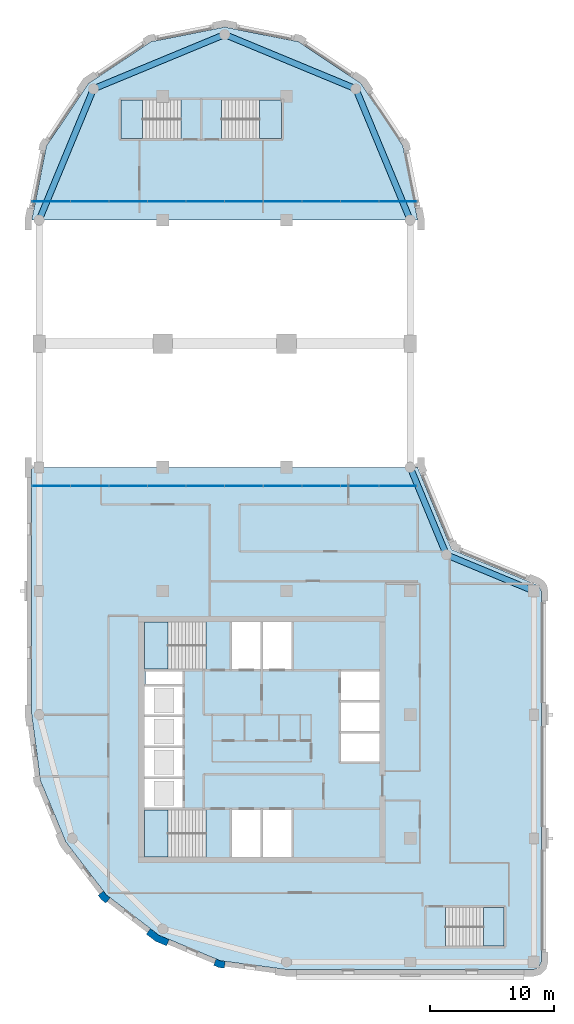
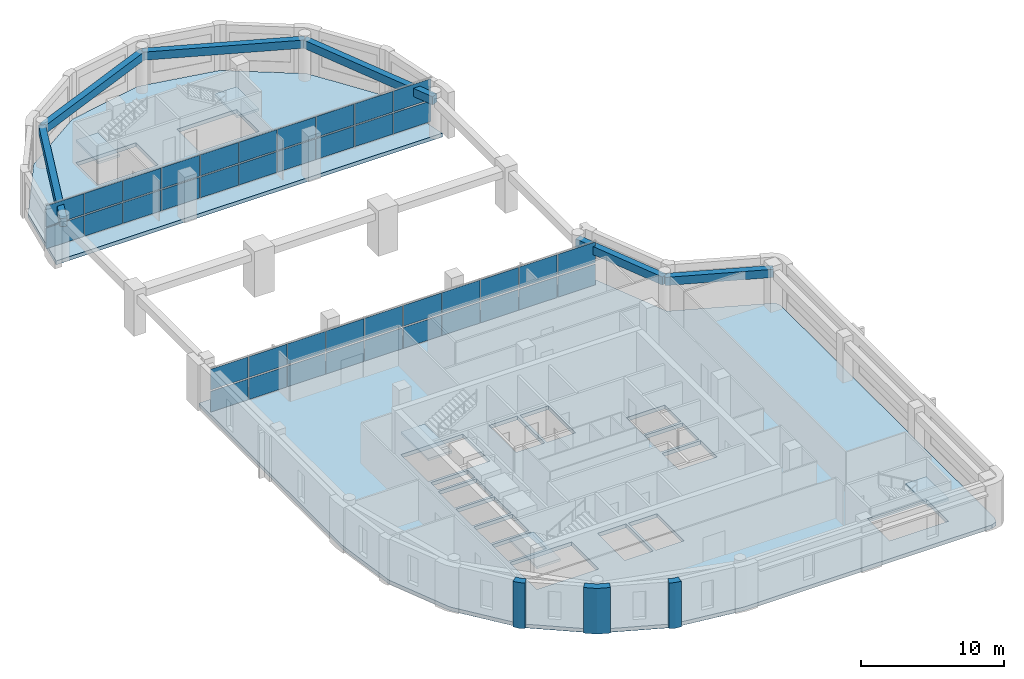
# One storey, part 4 of 11: 40 plates, 7 slabs, 6 beams, 3 walls, 7 elements without a shape of their own.
"""IFC4 building model written with IfcOpenShell, lengths in metres."""

from ifc_helpers import new_model, si_unit, direction, frame, origin, origin_2d, place, context, subcontext, project, spatial, polyline, rectangle, outline, extrude, material, layer, layer_set, material_profile, profile_set, type_object, element, aggregate, save


model = new_model("IFC4")

# Units and contexts
model_context = context("Model", 3, precision=1e-05, world=origin(), true_north=direction((0.0, 1.0)))
body_context = subcontext(model_context, "Body", "Model", "MODEL_VIEW")
ifc_project = project(units=[si_unit("LENGTHUNIT", "METRE"), si_unit("AREAUNIT", "SQUARE_METRE"), si_unit("VOLUMEUNIT", "CUBIC_METRE"), si_unit("PLANEANGLEUNIT", "RADIAN"), si_unit("MASSUNIT", "GRAM", prefix="KILO")], contexts=[model_context])

# Site, building, storey
site_placement = place(None, origin())
site = spatial("IfcSite", under=ifc_project, at=site_placement, CompositionType="ELEMENT")
building_placement = place(site_placement, origin())
building = spatial("IfcBuilding", under=site, at=building_placement, Name="Qaws Garden Tower", CompositionType="ELEMENT")
storey_placement = place(building_placement, frame((0.0, 0.0, 329.39990234375)))
storey = spatial("IfcBuildingStorey", under=building, at=storey_placement, Name="L80", CompositionType="ELEMENT", Elevation=329.39990234375)

# Beams
ifc_material_1 = material(Name="Concrete C45", Category="concrete")
ifc_material_profile = material_profile(ifc_material_1, rectangle(XDim=0.5, YDim=0.699951171875, at=origin_2d()), Name="RC 500x700")
ifc_profile_set = profile_set([ifc_material_profile], Name="Concrete C45")
beam_type = type_object("IfcBeamType", Name="Spandrel beam RC 500x700 C45", PredefinedType="SPANDREL", material=ifc_profile_set)
for number, where, z_axis, x_axis, name in (
    (1, (40.0, 30.0, 3.10009765625), (-0.923878037141, 0.382687042488, 0.0), (-0.382687042488, -0.923878037141, 0.0), "Spandrel beam L80-006"),
    (2, (32.928955078125, 32.928955078125, 3.10009765625), (-0.382687042488, 0.923878037141, 0.0), (-0.923878037141, -0.382687042488, 0.0), "Spandrel beam L80-007"),
):
    element("IfcBeam", number, at=place(storey_placement, frame(where, z_axis=z_axis, x_axis=x_axis)), inside=storey, type_object=beam_type, Name=name, PredefinedType="SPANDREL", context=body_context, shape_type="SweptSolid", body=[
        extrude(rectangle(XDim=0.5, YDim=0.699951171875, at=origin_2d()), origin(), (0.0, 0.0, 1.0), 7.653564453125),
    ])
for number, where, z_axis, x_axis, name in (
    (3, (30.0, 60.0, 3.10009765625), (-0.382674207535, 0.923883353507, 0.0), (-0.923883353507, -0.382674207535, 0.0), "Spandrel beam L80-010"),
    (4, (25.606689453125, 70.606689453125, 3.10009765625), (-0.923883353507, 0.382674207535, 0.0), (-0.382674207535, -0.923883353507, 0.0), "Spandrel beam L80-011"),
    (5, (15.0, 75.0, 3.10009765625), (-0.923883353507, -0.382674207535, 0.0), (0.382674207535, -0.923883353507, 0.0), "Spandrel beam L80-012"),
    (6, (4.393310546875, 70.606689453125, 3.10009765625), (-0.382674207535, -0.923883353507, 0.0), (0.923883353507, -0.382674207535, 0.0), "Spandrel beam L80-013"),
):
    element("IfcBeam", number, at=place(storey_placement, frame(where, z_axis=z_axis, x_axis=x_axis)), inside=storey, type_object=beam_type, Name=name, PredefinedType="SPANDREL", context=body_context, shape_type="SweptSolid", body=[
        extrude(rectangle(XDim=0.5, YDim=0.699951171875, at=origin_2d()), origin(), (0.0, 0.0, 1.0), 11.48046875),
    ])

# Curtain wall, plates
ifc_material_2 = material(Name="Anodised aluminium curtain wall frame", Category="aluminium")
ifc_layer_1 = layer(ifc_material_2, 0.159912109375)
ifc_layer_set_1 = layer_set([ifc_layer_1], Name="Anodised aluminium curtain wall frame")
curtain_wall_type = type_object("IfcCurtainWallType", Name="CW5 portal screen curtain wall", PredefinedType="NOTDEFINED", material=ifc_layer_set_1)
placement_1 = place(storey_placement, origin())
curtain_wall_1 = element("IfcCurtainWall", 7, at=placement_1, inside=storey, type_object=curtain_wall_type, Name="CW5 Portal screen 0", PredefinedType="NOTDEFINED")
ifc_material_3 = material(Name="Clear laminated glass", Category="glass")
ifc_layer_2 = layer(ifc_material_3, 0.031982421875)
ifc_layer_set_2 = layer_set([ifc_layer_2], Name="Clear laminated glass")
plate_type = type_object("IfcPlateType", Name="CW5 glass panel 32", PredefinedType="CURTAIN_PANEL", material=ifc_layer_set_2)
plate_1_placement = place(storey_placement, frame((0.972412109375, 38.5, 0.1201171875), z_axis=(0.0, 0.0, 1.0), x_axis=(1.0, 0.0, 0.0)))
plate_1 = element("IfcPlate", 8, at=plate_1_placement, type_object=plate_type, Name="CW5 panel 1.1", PredefinedType="CURTAIN_PANEL", context=body_context, shape_type="SweptSolid", body=[
    extrude(rectangle(XDim=3.044921875, YDim=0.031982421875, at=origin_2d()), origin(), (0.0, 0.0, 1.0), 1.77001953125),
])
plate_2_placement = place(storey_placement, frame((0.972412109375, 38.5, 2.010009765625), z_axis=(0.0, 0.0, 1.0), x_axis=(1.0, 0.0, 0.0)))
plate_2 = element("IfcPlate", 9, at=plate_2_placement, type_object=plate_type, Name="CW5 panel 1.2", PredefinedType="CURTAIN_PANEL", context=body_context, shape_type="SweptSolid", body=[
    extrude(rectangle(XDim=3.044921875, YDim=0.031982421875, at=origin_2d()), origin(), (0.0, 0.0, 1.0), 1.77001953125),
])
plate_3_placement = place(storey_placement, frame((4.080078125, 38.5, 0.1201171875), z_axis=(0.0, 0.0, 1.0), x_axis=(1.0, 0.0, 0.0)))
plate_3 = element("IfcPlate", 10, at=plate_3_placement, type_object=plate_type, Name="CW5 panel 2.1", PredefinedType="CURTAIN_PANEL", context=body_context, shape_type="SweptSolid", body=[
    extrude(rectangle(XDim=3.070068359375, YDim=0.031982421875, at=origin_2d()), origin(), (0.0, 0.0, 1.0), 1.77001953125),
])
plate_4_placement = place(storey_placement, frame((4.080078125, 38.5, 2.010009765625), z_axis=(0.0, 0.0, 1.0), x_axis=(1.0, 0.0, 0.0)))
plate_4 = element("IfcPlate", 11, at=plate_4_placement, type_object=plate_type, Name="CW5 panel 2.2", PredefinedType="CURTAIN_PANEL", context=body_context, shape_type="SweptSolid", body=[
    extrude(rectangle(XDim=3.070068359375, YDim=0.031982421875, at=origin_2d()), origin(), (0.0, 0.0, 1.0), 1.77001953125),
])
plate_5_placement = place(storey_placement, frame((7.199951171875, 38.5, 0.1201171875), z_axis=(0.0, 0.0, 1.0), x_axis=(1.0, 0.0, 0.0)))
plate_5 = element("IfcPlate", 12, at=plate_5_placement, type_object=plate_type, Name="CW5 panel 3.1", PredefinedType="CURTAIN_PANEL", context=body_context, shape_type="SweptSolid", body=[
    extrude(rectangle(XDim=3.070068359375, YDim=0.031982421875, at=origin_2d()), origin(), (0.0, 0.0, 1.0), 1.77001953125),
])
plate_6_placement = place(storey_placement, frame((7.199951171875, 38.5, 2.010009765625), z_axis=(0.0, 0.0, 1.0), x_axis=(1.0, 0.0, 0.0)))
plate_6 = element("IfcPlate", 13, at=plate_6_placement, type_object=plate_type, Name="CW5 panel 3.2", PredefinedType="CURTAIN_PANEL", context=body_context, shape_type="SweptSolid", body=[
    extrude(rectangle(XDim=3.070068359375, YDim=0.031982421875, at=origin_2d()), origin(), (0.0, 0.0, 1.0), 1.77001953125),
])
plate_7_placement = place(storey_placement, frame((10.320068359375, 38.5, 0.1201171875), z_axis=(0.0, 0.0, 1.0), x_axis=(1.0, 0.0, 0.0)))
plate_7 = element("IfcPlate", 14, at=plate_7_placement, type_object=plate_type, Name="CW5 panel 4.1", PredefinedType="CURTAIN_PANEL", context=body_context, shape_type="SweptSolid", body=[
    extrude(rectangle(XDim=3.070068359375, YDim=0.031982421875, at=origin_2d()), origin(), (0.0, 0.0, 1.0), 1.77001953125),
])
plate_8_placement = place(storey_placement, frame((10.320068359375, 38.5, 2.010009765625), z_axis=(0.0, 0.0, 1.0), x_axis=(1.0, 0.0, 0.0)))
plate_8 = element("IfcPlate", 15, at=plate_8_placement, type_object=plate_type, Name="CW5 panel 4.2", PredefinedType="CURTAIN_PANEL", context=body_context, shape_type="SweptSolid", body=[
    extrude(rectangle(XDim=3.070068359375, YDim=0.031982421875, at=origin_2d()), origin(), (0.0, 0.0, 1.0), 1.77001953125),
])
plate_9_placement = place(storey_placement, frame((13.43994140625, 38.5, 0.1201171875), z_axis=(0.0, 0.0, 1.0), x_axis=(1.0, 0.0, 0.0)))
plate_9 = element("IfcPlate", 16, at=plate_9_placement, type_object=plate_type, Name="CW5 panel 5.1", PredefinedType="CURTAIN_PANEL", context=body_context, shape_type="SweptSolid", body=[
    extrude(rectangle(XDim=3.070068359375, YDim=0.031982421875, at=origin_2d()), origin(), (0.0, 0.0, 1.0), 1.77001953125),
])
plate_10_placement = place(storey_placement, frame((13.43994140625, 38.5, 2.010009765625), z_axis=(0.0, 0.0, 1.0), x_axis=(1.0, 0.0, 0.0)))
plate_10 = element("IfcPlate", 17, at=plate_10_placement, type_object=plate_type, Name="CW5 panel 5.2", PredefinedType="CURTAIN_PANEL", context=body_context, shape_type="SweptSolid", body=[
    extrude(rectangle(XDim=3.070068359375, YDim=0.031982421875, at=origin_2d()), origin(), (0.0, 0.0, 1.0), 1.77001953125),
])
plate_11_placement = place(storey_placement, frame((16.56005859375, 38.5, 0.1201171875), z_axis=(0.0, 0.0, 1.0), x_axis=(1.0, 0.0, 0.0)))
plate_11 = element("IfcPlate", 18, at=plate_11_placement, type_object=plate_type, Name="CW5 panel 6.1", PredefinedType="CURTAIN_PANEL", context=body_context, shape_type="SweptSolid", body=[
    extrude(rectangle(XDim=3.070068359375, YDim=0.031982421875, at=origin_2d()), origin(), (0.0, 0.0, 1.0), 1.77001953125),
])
plate_12_placement = place(storey_placement, frame((16.56005859375, 38.5, 2.010009765625), z_axis=(0.0, 0.0, 1.0), x_axis=(1.0, 0.0, 0.0)))
plate_12 = element("IfcPlate", 19, at=plate_12_placement, type_object=plate_type, Name="CW5 panel 6.2", PredefinedType="CURTAIN_PANEL", context=body_context, shape_type="SweptSolid", body=[
    extrude(rectangle(XDim=3.070068359375, YDim=0.031982421875, at=origin_2d()), origin(), (0.0, 0.0, 1.0), 1.77001953125),
])
plate_13_placement = place(storey_placement, frame((19.679931640625, 38.5, 0.1201171875), z_axis=(0.0, 0.0, 1.0), x_axis=(1.0, 0.0, 0.0)))
plate_13 = element("IfcPlate", 20, at=plate_13_placement, type_object=plate_type, Name="CW5 panel 7.1", PredefinedType="CURTAIN_PANEL", context=body_context, shape_type="SweptSolid", body=[
    extrude(rectangle(XDim=3.070068359375, YDim=0.031982421875, at=origin_2d()), origin(), (0.0, 0.0, 1.0), 1.77001953125),
])
plate_14_placement = place(storey_placement, frame((19.679931640625, 38.5, 2.010009765625), z_axis=(0.0, 0.0, 1.0), x_axis=(1.0, 0.0, 0.0)))
plate_14 = element("IfcPlate", 21, at=plate_14_placement, type_object=plate_type, Name="CW5 panel 7.2", PredefinedType="CURTAIN_PANEL", context=body_context, shape_type="SweptSolid", body=[
    extrude(rectangle(XDim=3.070068359375, YDim=0.031982421875, at=origin_2d()), origin(), (0.0, 0.0, 1.0), 1.77001953125),
])
plate_15_placement = place(storey_placement, frame((22.800048828125, 38.5, 0.1201171875), z_axis=(0.0, 0.0, 1.0), x_axis=(1.0, 0.0, 0.0)))
plate_15 = element("IfcPlate", 22, at=plate_15_placement, type_object=plate_type, Name="CW5 panel 8.1", PredefinedType="CURTAIN_PANEL", context=body_context, shape_type="SweptSolid", body=[
    extrude(rectangle(XDim=3.070068359375, YDim=0.031982421875, at=origin_2d()), origin(), (0.0, 0.0, 1.0), 1.77001953125),
])
plate_16_placement = place(storey_placement, frame((22.800048828125, 38.5, 2.010009765625), z_axis=(0.0, 0.0, 1.0), x_axis=(1.0, 0.0, 0.0)))
plate_16 = element("IfcPlate", 23, at=plate_16_placement, type_object=plate_type, Name="CW5 panel 8.2", PredefinedType="CURTAIN_PANEL", context=body_context, shape_type="SweptSolid", body=[
    extrude(rectangle(XDim=3.070068359375, YDim=0.031982421875, at=origin_2d()), origin(), (0.0, 0.0, 1.0), 1.77001953125),
])
plate_17_placement = place(storey_placement, frame((25.919921875, 38.5, 0.1201171875), z_axis=(0.0, 0.0, 1.0), x_axis=(1.0, 0.0, 0.0)))
plate_17 = element("IfcPlate", 24, at=plate_17_placement, type_object=plate_type, Name="CW5 panel 9.1", PredefinedType="CURTAIN_PANEL", context=body_context, shape_type="SweptSolid", body=[
    extrude(rectangle(XDim=3.070068359375, YDim=0.031982421875, at=origin_2d()), origin(), (0.0, 0.0, 1.0), 1.77001953125),
])
plate_18_placement = place(storey_placement, frame((25.919921875, 38.5, 2.010009765625), z_axis=(0.0, 0.0, 1.0), x_axis=(1.0, 0.0, 0.0)))
plate_18 = element("IfcPlate", 25, at=plate_18_placement, type_object=plate_type, Name="CW5 panel 9.2", PredefinedType="CURTAIN_PANEL", context=body_context, shape_type="SweptSolid", body=[
    extrude(rectangle(XDim=3.070068359375, YDim=0.031982421875, at=origin_2d()), origin(), (0.0, 0.0, 1.0), 1.77001953125),
])
plate_19_placement = place(storey_placement, frame((29.027587890625, 38.5, 0.1201171875), z_axis=(0.0, 0.0, 1.0), x_axis=(1.0, 0.0, 0.0)))
plate_19 = element("IfcPlate", 26, at=plate_19_placement, type_object=plate_type, Name="CW5 panel 10.1", PredefinedType="CURTAIN_PANEL", context=body_context, shape_type="SweptSolid", body=[
    extrude(rectangle(XDim=3.044921875, YDim=0.031982421875, at=origin_2d()), origin(), (0.0, 0.0, 1.0), 1.77001953125),
])
plate_20_placement = place(storey_placement, frame((29.027587890625, 38.5, 2.010009765625), z_axis=(0.0, 0.0, 1.0), x_axis=(1.0, 0.0, 0.0)))
plate_20 = element("IfcPlate", 27, at=plate_20_placement, type_object=plate_type, Name="CW5 panel 10.2", PredefinedType="CURTAIN_PANEL", context=body_context, shape_type="SweptSolid", body=[
    extrude(rectangle(XDim=3.044921875, YDim=0.031982421875, at=origin_2d()), origin(), (0.0, 0.0, 1.0), 1.77001953125),
])
aggregate(curtain_wall_1, [plate_1, plate_2, plate_3, plate_4, plate_5, plate_6, plate_7, plate_8, plate_9, plate_10, plate_11, plate_12, plate_13, plate_14, plate_15, plate_16, plate_17, plate_18, plate_19, plate_20])

curtain_wall_2 = element("IfcCurtainWall", 28, at=placement_1, inside=storey, type_object=curtain_wall_type, Name="CW5 Portal screen 1", PredefinedType="NOTDEFINED")
plate_21_placement = place(storey_placement, frame((0.972412109375, 61.5, 0.1201171875), z_axis=(0.0, 0.0, 1.0), x_axis=(1.0, 0.0, 0.0)))
plate_21 = element("IfcPlate", 29, at=plate_21_placement, type_object=plate_type, Name="CW5 panel 1.1", PredefinedType="CURTAIN_PANEL", context=body_context, shape_type="SweptSolid", body=[
    extrude(rectangle(XDim=3.044921875, YDim=0.031982421875, at=origin_2d()), origin(), (0.0, 0.0, 1.0), 1.77001953125),
])
plate_22_placement = place(storey_placement, frame((0.972412109375, 61.5, 2.010009765625), z_axis=(0.0, 0.0, 1.0), x_axis=(1.0, 0.0, 0.0)))
plate_22 = element("IfcPlate", 30, at=plate_22_placement, type_object=plate_type, Name="CW5 panel 1.2", PredefinedType="CURTAIN_PANEL", context=body_context, shape_type="SweptSolid", body=[
    extrude(rectangle(XDim=3.044921875, YDim=0.031982421875, at=origin_2d()), origin(), (0.0, 0.0, 1.0), 1.77001953125),
])
plate_23_placement = place(storey_placement, frame((4.080078125, 61.5, 0.1201171875), z_axis=(0.0, 0.0, 1.0), x_axis=(1.0, 0.0, 0.0)))
plate_23 = element("IfcPlate", 31, at=plate_23_placement, type_object=plate_type, Name="CW5 panel 2.1", PredefinedType="CURTAIN_PANEL", context=body_context, shape_type="SweptSolid", body=[
    extrude(rectangle(XDim=3.070068359375, YDim=0.031982421875, at=origin_2d()), origin(), (0.0, 0.0, 1.0), 1.77001953125),
])
plate_24_placement = place(storey_placement, frame((4.080078125, 61.5, 2.010009765625), z_axis=(0.0, 0.0, 1.0), x_axis=(1.0, 0.0, 0.0)))
plate_24 = element("IfcPlate", 32, at=plate_24_placement, type_object=plate_type, Name="CW5 panel 2.2", PredefinedType="CURTAIN_PANEL", context=body_context, shape_type="SweptSolid", body=[
    extrude(rectangle(XDim=3.070068359375, YDim=0.031982421875, at=origin_2d()), origin(), (0.0, 0.0, 1.0), 1.77001953125),
])
plate_25_placement = place(storey_placement, frame((7.199951171875, 61.5, 0.1201171875), z_axis=(0.0, 0.0, 1.0), x_axis=(1.0, 0.0, 0.0)))
plate_25 = element("IfcPlate", 33, at=plate_25_placement, type_object=plate_type, Name="CW5 panel 3.1", PredefinedType="CURTAIN_PANEL", context=body_context, shape_type="SweptSolid", body=[
    extrude(rectangle(XDim=3.070068359375, YDim=0.031982421875, at=origin_2d()), origin(), (0.0, 0.0, 1.0), 1.77001953125),
])
plate_26_placement = place(storey_placement, frame((7.199951171875, 61.5, 2.010009765625), z_axis=(0.0, 0.0, 1.0), x_axis=(1.0, 0.0, 0.0)))
plate_26 = element("IfcPlate", 34, at=plate_26_placement, type_object=plate_type, Name="CW5 panel 3.2", PredefinedType="CURTAIN_PANEL", context=body_context, shape_type="SweptSolid", body=[
    extrude(rectangle(XDim=3.070068359375, YDim=0.031982421875, at=origin_2d()), origin(), (0.0, 0.0, 1.0), 1.77001953125),
])
plate_27_placement = place(storey_placement, frame((10.320068359375, 61.5, 0.1201171875), z_axis=(0.0, 0.0, 1.0), x_axis=(1.0, 0.0, 0.0)))
plate_27 = element("IfcPlate", 35, at=plate_27_placement, type_object=plate_type, Name="CW5 panel 4.1", PredefinedType="CURTAIN_PANEL", context=body_context, shape_type="SweptSolid", body=[
    extrude(rectangle(XDim=3.070068359375, YDim=0.031982421875, at=origin_2d()), origin(), (0.0, 0.0, 1.0), 1.77001953125),
])
plate_28_placement = place(storey_placement, frame((10.320068359375, 61.5, 2.010009765625), z_axis=(0.0, 0.0, 1.0), x_axis=(1.0, 0.0, 0.0)))
plate_28 = element("IfcPlate", 36, at=plate_28_placement, type_object=plate_type, Name="CW5 panel 4.2", PredefinedType="CURTAIN_PANEL", context=body_context, shape_type="SweptSolid", body=[
    extrude(rectangle(XDim=3.070068359375, YDim=0.031982421875, at=origin_2d()), origin(), (0.0, 0.0, 1.0), 1.77001953125),
])
plate_29_placement = place(storey_placement, frame((13.43994140625, 61.5, 0.1201171875), z_axis=(0.0, 0.0, 1.0), x_axis=(1.0, 0.0, 0.0)))
plate_29 = element("IfcPlate", 37, at=plate_29_placement, type_object=plate_type, Name="CW5 panel 5.1", PredefinedType="CURTAIN_PANEL", context=body_context, shape_type="SweptSolid", body=[
    extrude(rectangle(XDim=3.070068359375, YDim=0.031982421875, at=origin_2d()), origin(), (0.0, 0.0, 1.0), 1.77001953125),
])
plate_30_placement = place(storey_placement, frame((13.43994140625, 61.5, 2.010009765625), z_axis=(0.0, 0.0, 1.0), x_axis=(1.0, 0.0, 0.0)))
plate_30 = element("IfcPlate", 38, at=plate_30_placement, type_object=plate_type, Name="CW5 panel 5.2", PredefinedType="CURTAIN_PANEL", context=body_context, shape_type="SweptSolid", body=[
    extrude(rectangle(XDim=3.070068359375, YDim=0.031982421875, at=origin_2d()), origin(), (0.0, 0.0, 1.0), 1.77001953125),
])
plate_31_placement = place(storey_placement, frame((16.56005859375, 61.5, 0.1201171875), z_axis=(0.0, 0.0, 1.0), x_axis=(1.0, 0.0, 0.0)))
plate_31 = element("IfcPlate", 39, at=plate_31_placement, type_object=plate_type, Name="CW5 panel 6.1", PredefinedType="CURTAIN_PANEL", context=body_context, shape_type="SweptSolid", body=[
    extrude(rectangle(XDim=3.070068359375, YDim=0.031982421875, at=origin_2d()), origin(), (0.0, 0.0, 1.0), 1.77001953125),
])
plate_32_placement = place(storey_placement, frame((16.56005859375, 61.5, 2.010009765625), z_axis=(0.0, 0.0, 1.0), x_axis=(1.0, 0.0, 0.0)))
plate_32 = element("IfcPlate", 40, at=plate_32_placement, type_object=plate_type, Name="CW5 panel 6.2", PredefinedType="CURTAIN_PANEL", context=body_context, shape_type="SweptSolid", body=[
    extrude(rectangle(XDim=3.070068359375, YDim=0.031982421875, at=origin_2d()), origin(), (0.0, 0.0, 1.0), 1.77001953125),
])
plate_33_placement = place(storey_placement, frame((19.679931640625, 61.5, 0.1201171875), z_axis=(0.0, 0.0, 1.0), x_axis=(1.0, 0.0, 0.0)))
plate_33 = element("IfcPlate", 41, at=plate_33_placement, type_object=plate_type, Name="CW5 panel 7.1", PredefinedType="CURTAIN_PANEL", context=body_context, shape_type="SweptSolid", body=[
    extrude(rectangle(XDim=3.070068359375, YDim=0.031982421875, at=origin_2d()), origin(), (0.0, 0.0, 1.0), 1.77001953125),
])
plate_34_placement = place(storey_placement, frame((19.679931640625, 61.5, 2.010009765625), z_axis=(0.0, 0.0, 1.0), x_axis=(1.0, 0.0, 0.0)))
plate_34 = element("IfcPlate", 42, at=plate_34_placement, type_object=plate_type, Name="CW5 panel 7.2", PredefinedType="CURTAIN_PANEL", context=body_context, shape_type="SweptSolid", body=[
    extrude(rectangle(XDim=3.070068359375, YDim=0.031982421875, at=origin_2d()), origin(), (0.0, 0.0, 1.0), 1.77001953125),
])
plate_35_placement = place(storey_placement, frame((22.800048828125, 61.5, 0.1201171875), z_axis=(0.0, 0.0, 1.0), x_axis=(1.0, 0.0, 0.0)))
plate_35 = element("IfcPlate", 43, at=plate_35_placement, type_object=plate_type, Name="CW5 panel 8.1", PredefinedType="CURTAIN_PANEL", context=body_context, shape_type="SweptSolid", body=[
    extrude(rectangle(XDim=3.070068359375, YDim=0.031982421875, at=origin_2d()), origin(), (0.0, 0.0, 1.0), 1.77001953125),
])
plate_36_placement = place(storey_placement, frame((22.800048828125, 61.5, 2.010009765625), z_axis=(0.0, 0.0, 1.0), x_axis=(1.0, 0.0, 0.0)))
plate_36 = element("IfcPlate", 44, at=plate_36_placement, type_object=plate_type, Name="CW5 panel 8.2", PredefinedType="CURTAIN_PANEL", context=body_context, shape_type="SweptSolid", body=[
    extrude(rectangle(XDim=3.070068359375, YDim=0.031982421875, at=origin_2d()), origin(), (0.0, 0.0, 1.0), 1.77001953125),
])
plate_37_placement = place(storey_placement, frame((25.919921875, 61.5, 0.1201171875), z_axis=(0.0, 0.0, 1.0), x_axis=(1.0, 0.0, 0.0)))
plate_37 = element("IfcPlate", 45, at=plate_37_placement, type_object=plate_type, Name="CW5 panel 9.1", PredefinedType="CURTAIN_PANEL", context=body_context, shape_type="SweptSolid", body=[
    extrude(rectangle(XDim=3.070068359375, YDim=0.031982421875, at=origin_2d()), origin(), (0.0, 0.0, 1.0), 1.77001953125),
])
plate_38_placement = place(storey_placement, frame((25.919921875, 61.5, 2.010009765625), z_axis=(0.0, 0.0, 1.0), x_axis=(1.0, 0.0, 0.0)))
plate_38 = element("IfcPlate", 46, at=plate_38_placement, type_object=plate_type, Name="CW5 panel 9.2", PredefinedType="CURTAIN_PANEL", context=body_context, shape_type="SweptSolid", body=[
    extrude(rectangle(XDim=3.070068359375, YDim=0.031982421875, at=origin_2d()), origin(), (0.0, 0.0, 1.0), 1.77001953125),
])
plate_39_placement = place(storey_placement, frame((29.027587890625, 61.5, 0.1201171875), z_axis=(0.0, 0.0, 1.0), x_axis=(1.0, 0.0, 0.0)))
plate_39 = element("IfcPlate", 47, at=plate_39_placement, type_object=plate_type, Name="CW5 panel 10.1", PredefinedType="CURTAIN_PANEL", context=body_context, shape_type="SweptSolid", body=[
    extrude(rectangle(XDim=3.044921875, YDim=0.031982421875, at=origin_2d()), origin(), (0.0, 0.0, 1.0), 1.77001953125),
])
plate_40_placement = place(storey_placement, frame((29.027587890625, 61.5, 2.010009765625), z_axis=(0.0, 0.0, 1.0), x_axis=(1.0, 0.0, 0.0)))
plate_40 = element("IfcPlate", 48, at=plate_40_placement, type_object=plate_type, Name="CW5 panel 10.2", PredefinedType="CURTAIN_PANEL", context=body_context, shape_type="SweptSolid", body=[
    extrude(rectangle(XDim=3.044921875, YDim=0.031982421875, at=origin_2d()), origin(), (0.0, 0.0, 1.0), 1.77001953125),
])
aggregate(curtain_wall_2, [plate_21, plate_22, plate_23, plate_24, plate_25, plate_26, plate_27, plate_28, plate_29, plate_30, plate_31, plate_32, plate_33, plate_34, plate_35, plate_36, plate_37, plate_38, plate_39, plate_40])

# Slabs
ifc_material_4 = material(Name="Concrete C40", Category="concrete")
ifc_layer_3 = layer(ifc_material_4, 0.320068359375)
ifc_layer_set_3 = layer_set([ifc_layer_3], Name="Concrete C40")
slab_type_1 = type_object("IfcSlabType", Name="Floor slab 320 C40", PredefinedType="FLOOR", material=ifc_layer_set_3)
placement_2 = place(storey_placement, frame((0.0, 0.0, -0.31982421875)))
element("IfcSlab", 49, at=placement_2, inside=storey, type_object=slab_type_1, Name="Floor slab L80 part 1", PredefinedType="FLOOR", context=body_context, shape_type="SweptSolid", body=[
    extrude(outline(polyline([(-0.60009765625, 20.0), (-0.60009765625, 30.60009765625), (-0.60009765625, 40.0), (30.60009765625, 40.0), (33.353271484375, 33.353271484375), (40.0, 30.60009765625), (40.42431640625, 30.42431640625), (40.60009765625, 30.0), (40.60009765625, 0.0), (40.42431640625, -0.42431640625), (40.0, -0.60009765625), (30.60009765625, -0.60009765625), (20.0, -0.60009765625), (14.668212890625, 0.101806640625), (9.699951171875, 2.159912109375), (5.43359375, 5.43359375), (2.159912109375, 9.699951171875), (0.101806640625, 14.668212890625), (-0.60009765625, 20.0)]), holes=[polyline([(13.49951171875, 12.300048828125), (8.5, 12.300048828125), (8.5, 8.5), (13.49951171875, 8.5), (13.49951171875, 12.300048828125)]), polyline([(17.89990234375, 12.300048828125), (15.60009765625, 12.300048828125), (15.60009765625, 8.5), (17.89990234375, 8.5), (17.89990234375, 12.300048828125)]), polyline([(11.60009765625, 14.800048828125), (8.5, 14.800048828125), (8.5, 12.5), (11.60009765625, 12.5), (11.60009765625, 14.800048828125)]), polyline([(11.60009765625, 17.300048828125), (8.5, 17.300048828125), (8.5, 15.0), (11.60009765625, 15.0), (11.60009765625, 17.300048828125)]), polyline([(11.60009765625, 19.800048828125), (8.5, 19.800048828125), (8.5, 17.5), (11.60009765625, 17.5), (11.60009765625, 19.800048828125)]), polyline([(11.60009765625, 22.300048828125), (8.5, 22.300048828125), (8.5, 20.0), (11.60009765625, 20.0), (11.60009765625, 22.300048828125)]), polyline([(11.60009765625, 23.5), (8.60009765625, 23.5), (8.60009765625, 22.5), (11.60009765625, 22.5), (11.60009765625, 23.5)]), polyline([(13.49951171875, 27.5), (8.5, 27.5), (8.5, 23.699951171875), (13.49951171875, 23.699951171875), (13.49951171875, 27.5)]), polyline([(37.60009765625, 4.39990234375), (32.8505859375, 4.39990234375), (32.8505859375, 1.300048828125), (37.60009765625, 1.300048828125), (37.60009765625, 4.39990234375)]), polyline([(20.39990234375, 12.300048828125), (18.10009765625, 12.300048828125), (18.10009765625, 8.5), (20.39990234375, 8.5), (20.39990234375, 12.300048828125)]), polyline([(27.5, 18.5), (24.39990234375, 18.5), (24.39990234375, 16.199951171875), (27.5, 16.199951171875), (27.5, 18.5)]), polyline([(27.5, 21.0), (24.39990234375, 21.0), (24.39990234375, 18.699951171875), (27.5, 18.699951171875), (27.5, 21.0)]), polyline([(27.5, 23.5), (24.39990234375, 23.5), (24.39990234375, 21.199951171875), (27.5, 21.199951171875), (27.5, 23.5)]), polyline([(17.89990234375, 27.5), (15.60009765625, 27.5), (15.60009765625, 23.699951171875), (17.89990234375, 23.699951171875), (17.89990234375, 27.5)]), polyline([(20.39990234375, 23.699951171875), (20.39990234375, 27.5), (18.10009765625, 27.5), (18.10009765625, 23.699951171875), (20.39990234375, 23.699951171875)])]), origin(), (0.0, 0.0, 1.0), 0.31982421875),
])
element("IfcSlab", 50, at=placement_2, inside=storey, type_object=slab_type_1, Name="Floor slab L80 part 2", PredefinedType="FLOOR", context=body_context, shape_type="SweptSolid", body=[
    extrude(outline(polyline([(3.968994140625, 71.031005859375), (9.030029296875, 74.41259765625), (15.0, 75.60009765625), (20.969970703125, 74.41259765625), (26.031005859375, 71.031005859375), (29.41259765625, 65.969970703125), (30.60009765625, 60.0), (-0.60009765625, 60.0), (0.58740234375, 65.969970703125), (3.968994140625, 71.031005859375)]), holes=[polyline([(11.449462890625, 69.699951171875), (6.60009765625, 69.699951171875), (6.60009765625, 66.60009765625), (11.449462890625, 66.60009765625), (11.449462890625, 69.699951171875)]), polyline([(19.60009765625, 66.60009765625), (19.60009765625, 69.699951171875), (14.75048828125, 69.699951171875), (14.75048828125, 66.60009765625), (19.60009765625, 66.60009765625)])]), origin(), (0.0, 0.0, 1.0), 0.31982421875),
])

# Stair, slab
ifc_material_5 = material(Name="Concrete C40", Category="concrete")
stair_type_1 = type_object("IfcStairType", Name="Exit stair 1500", PredefinedType="HALF_TURN_STAIR", material=ifc_material_5)
stair_1 = element("IfcStair", 51, at=placement_1, inside=storey, type_object=stair_type_1, Name="Stair 1", PredefinedType="HALF_TURN_STAIR")
ifc_material_6 = material(Name="Concrete C40", Category="concrete")
ifc_layer_4 = layer(ifc_material_6, 0.199951171875)
ifc_layer_set_4 = layer_set([ifc_layer_4], Name="Concrete C40")
slab_type_2 = type_object("IfcSlabType", Name="Stair landing 200", PredefinedType="LANDING", material=ifc_layer_set_4)
placement_3 = place(storey_placement, frame((0.0, 0.0, 1.75)))
slab_3 = element("IfcSlab", 52, at=placement_3, type_object=slab_type_2, Name="ST1 landing 1", PredefinedType="LANDING", context=body_context, shape_type="SweptSolid", body=[
    extrude(outline(polyline([(8.5, 8.5), (10.419921875, 8.5), (10.419921875, 12.300048828125), (8.5, 12.300048828125), (8.5, 8.5)])), origin(), (0.0, 0.0, 1.0), 0.2001953125),
])
aggregate(stair_1, [slab_3])

stair_2 = element("IfcStair", 53, at=placement_1, inside=storey, type_object=stair_type_1, Name="Stair 4", PredefinedType="HALF_TURN_STAIR")
slab_4 = element("IfcSlab", 54, at=placement_3, type_object=slab_type_2, Name="ST4 landing 1", PredefinedType="LANDING", context=body_context, shape_type="SweptSolid", body=[
    extrude(outline(polyline([(8.5, 23.699951171875), (10.419921875, 23.699951171875), (10.419921875, 27.5), (8.5, 27.5), (8.5, 23.699951171875)])), origin(), (0.0, 0.0, 1.0), 0.2001953125),
])
aggregate(stair_2, [slab_4])

ifc_material_7 = material(Name="Concrete C40", Category="concrete")
stair_type_2 = type_object("IfcStairType", Name="Exit stair 1350", PredefinedType="HALF_TURN_STAIR", material=ifc_material_7)
stair_3 = element("IfcStair", 55, at=placement_1, inside=storey, type_object=stair_type_2, Name="Stair 5", PredefinedType="HALF_TURN_STAIR")
slab_5 = element("IfcSlab", 56, at=placement_3, type_object=slab_type_2, Name="ST5 landing 1", PredefinedType="LANDING", context=body_context, shape_type="SweptSolid", body=[
    extrude(outline(polyline([(35.929931640625, 1.300048828125), (37.60009765625, 1.300048828125), (37.60009765625, 4.39990234375), (35.929931640625, 4.39990234375), (35.929931640625, 1.300048828125)])), origin(), (0.0, 0.0, 1.0), 0.2001953125),
])
aggregate(stair_3, [slab_5])

stair_4 = element("IfcStair", 57, at=placement_1, inside=storey, type_object=stair_type_2, Name="Stair 6", PredefinedType="HALF_TURN_STAIR")
slab_6 = element("IfcSlab", 58, at=placement_3, type_object=slab_type_2, Name="ST6 landing 1", PredefinedType="LANDING", context=body_context, shape_type="SweptSolid", body=[
    extrude(outline(polyline([(6.60009765625, 66.60009765625), (8.3701171875, 66.60009765625), (8.3701171875, 69.699951171875), (6.60009765625, 69.699951171875), (6.60009765625, 66.60009765625)])), origin(), (0.0, 0.0, 1.0), 0.2001953125),
])
aggregate(stair_4, [slab_6])

stair_5 = element("IfcStair", 59, at=placement_1, inside=storey, type_object=stair_type_2, Name="Stair 7", PredefinedType="HALF_TURN_STAIR")
slab_7 = element("IfcSlab", 60, at=placement_3, type_object=slab_type_2, Name="ST7 landing 1", PredefinedType="LANDING", context=body_context, shape_type="SweptSolid", body=[
    extrude(outline(polyline([(17.830078125, 66.60009765625), (19.60009765625, 66.60009765625), (19.60009765625, 69.699951171875), (17.830078125, 69.699951171875), (17.830078125, 66.60009765625)])), origin(), (0.0, 0.0, 1.0), 0.2001953125),
])
aggregate(stair_5, [slab_7])

# Walls
ifc_material_8 = material(Name="Clay facing brick masonry", Category="masonry")
ifc_layer_5 = layer(ifc_material_8, 0.550048828125)
ifc_layer_set_5 = layer_set([ifc_layer_5], Name="Clay facing brick masonry")
wall_type_1 = type_object("IfcWallType", Name="Brick kink pier 550 x 600", PredefinedType="SOLIDWALL", material=ifc_layer_set_5)
element("IfcWall", 61, at=placement_1, inside=storey, type_object=wall_type_1, Name="E-L80-pier-24", PredefinedType="SOLIDWALL", context=body_context, shape_type="SweptSolid", body=[
    extrude(outline(polyline([(4.8818359375, 5.487060546875), (4.762939453125, 5.395751953125), (5.03759765625, 5.03759765625), (5.395751953125, 4.762939453125), (5.487060546875, 4.8818359375), (5.730712890625, 5.19921875), (5.429931640625, 5.429931640625), (5.19921875, 5.730712890625), (4.8818359375, 5.487060546875)])), origin(), (0.0, 0.0, 1.0), 3.900146484375),
])
element("IfcWall", 62, at=placement_1, inside=storey, type_object=wall_type_1, Name="E-L80-pier-26", PredefinedType="SOLIDWALL", context=body_context, shape_type="SweptSolid", body=[
    extrude(outline(polyline([(14.163818359375, -0.127685546875), (14.1064453125, -0.26611328125), (14.5234375, -0.43896484375), (14.970947265625, -0.497802734375), (14.990478515625, -0.34912109375), (15.042724609375, 0.04736328125), (14.6669921875, 0.096923828125), (14.31689453125, 0.241943359375), (14.163818359375, -0.127685546875)])), origin(), (0.0, 0.0, 1.0), 3.900146484375),
])
ifc_material_9 = material(Name="Clay facing brick masonry", Category="masonry")
ifc_layer_6 = layer(ifc_material_9, 0.550048828125)
ifc_layer_set_6 = layer_set([ifc_layer_6], Name="Clay facing brick masonry")
wall_type_2 = type_object("IfcWallType", Name="Brick pier 550 x 1600", PredefinedType="SOLIDWALL", material=ifc_layer_set_6)
element("IfcWall", 63, at=placement_1, inside=storey, type_object=wall_type_2, Name="E-L80-pier-25", PredefinedType="SOLIDWALL", context=body_context, shape_type="SweptSolid", body=[
    extrude(outline(polyline([(8.756591796875, 2.373046875), (8.665283203125, 2.254150390625), (9.419921875, 1.675048828125), (10.299072265625, 1.310791015625), (10.3564453125, 1.449462890625), (10.509521484375, 1.819091796875), (9.697509765625, 2.1552734375), (9.0, 2.6904296875), (8.756591796875, 2.373046875)])), origin(), (0.0, 0.0, 1.0), 3.900146484375),
])

save(model, "model.ifc")
